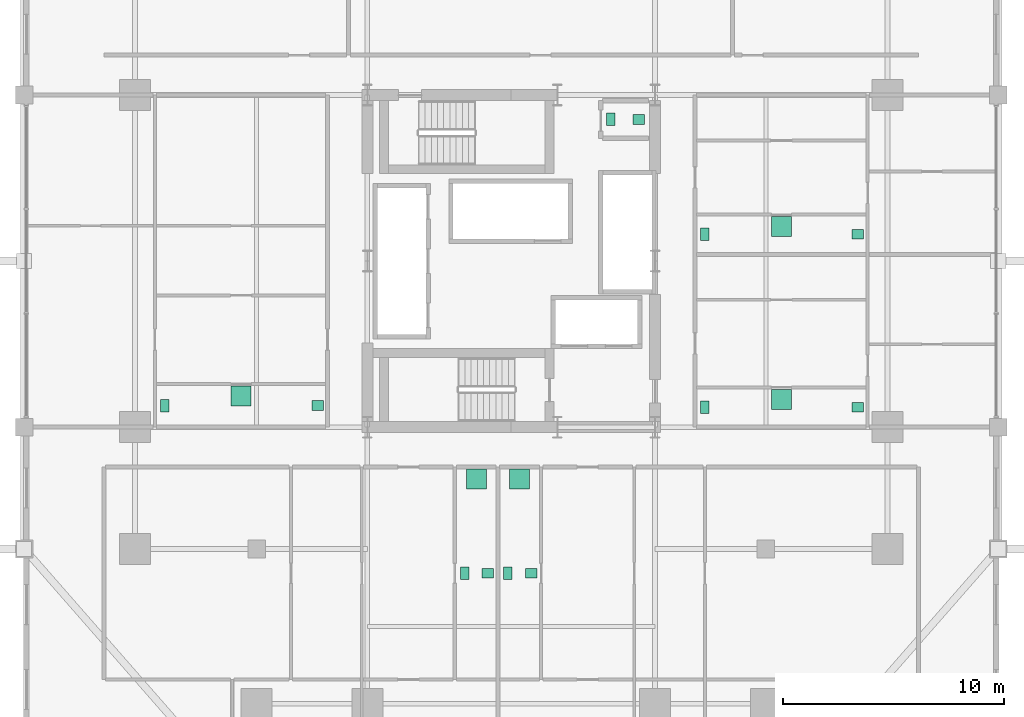
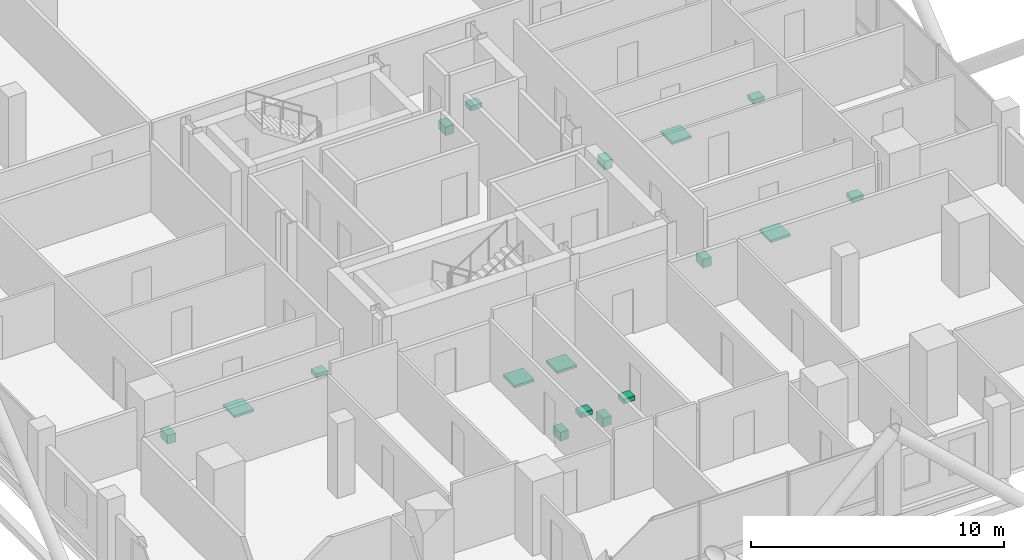
# One storey, part 27 of 27: 17 sanitary terminals.
"""IFC4 building model written with IfcOpenShell, lengths in metres."""

from ifc_helpers import new_model, si_unit, direction, frame, origin, origin_2d, place, context, subcontext, project, spatial, rectangle, extrude, material, type_object, element, save


model = new_model("IFC4")

# Units and contexts
model_context = context("Model", 3, precision=1e-05, world=origin(), true_north=direction((0.0, 1.0)))
body_context = subcontext(model_context, "Body", "Model", "MODEL_VIEW")
ifc_project = project(units=[si_unit("LENGTHUNIT", "METRE"), si_unit("AREAUNIT", "SQUARE_METRE"), si_unit("VOLUMEUNIT", "CUBIC_METRE"), si_unit("PLANEANGLEUNIT", "RADIAN"), si_unit("MASSUNIT", "GRAM", prefix="KILO")], contexts=[model_context])

# Site, building, storey
site_placement = place(None, origin())
site = spatial("IfcSite", under=ifc_project, at=site_placement, CompositionType="ELEMENT")
building_placement = place(site_placement, origin())
building = spatial("IfcBuilding", under=site, at=building_placement, Name="Barlavira Tower and Art Museum", CompositionType="ELEMENT")
storey_placement = place(building_placement, frame((0.0, 0.0, 72.0)))
storey = spatial("IfcBuildingStorey", under=building, at=storey_placement, Name="L17", CompositionType="ELEMENT", Elevation=72.0)

# Sanitary terminals
ifc_material = material(Name="Vitreous glazed ceramic", Category="ceramic")
sanitary_terminal_type_1 = type_object("IfcSanitaryTerminalType", Name="Countertop Ceramic Wash Hand Basin", PredefinedType="WASHHANDBASIN", material=ifc_material)
for number, where, z_axis, x_axis, name in (
    (1, (5.75, 6.39990234375, 0.740234375), (0.0, 0.0, 1.0), (1.0, 0.0, 0.0), "L17-C-AWC4 Wash Basin"),
    (2, (-1.050048828125, -14.10009765625, 0.740234375), (0.0, 0.0, 1.0), (1.0, 0.0, 0.0), "L17-S1-BTH1 Wash Basin"),
    (3, (0.89990234375, -14.10009765625, 0.740234375), (0.0, 0.0, 1.0), (1.0, 0.0, 0.0), "L17-S2-BTH1 Wash Basin"),
    (4, (-8.75, -6.52490234375, 0.740234375), (0.0, 0.0, 1.0), (1.0, 0.0, 0.0), "L17-W1-BTH1 Wash Basin"),
    (5, (15.64990234375, -6.60009765625, 0.740234375), (0.0, 0.0, 1.0), (1.0, 0.0, 0.0), "L17-E1-BTH1 Wash Basin"),
    (6, (15.64990234375, 1.2099609375, 0.740234375), (0.0, 0.0, 1.0), (1.0, 0.0, 0.0), "L17-E2-BTH1 Wash Basin"),
):
    element("IfcSanitaryTerminal", number, at=place(storey_placement, frame(where, z_axis=z_axis, x_axis=x_axis)), inside=storey, type_object=sanitary_terminal_type_1, Name=name, PredefinedType="WASHHANDBASIN", context=body_context, shape_type="SweptSolid", body=[
        extrude(rectangle(XDim=0.52001953125, YDim=0.43994140625, at=origin_2d()), origin(), (0.0, 0.0, 1.0), 0.219970703125),
    ])
sanitary_terminal_type_2 = type_object("IfcSanitaryTerminalType", Name="Walk-In Thermostatic Rain Shower Unit", PredefinedType="SHOWER", material=ifc_material)
for number, where, z_axis, x_axis, name in (
    (7, (-1.574951171875, -9.85009765625, 0.0), (0.0, 0.0, 1.0), (1.0, 0.0, 0.0), "L17-S1-BTH1 Rain Shower"),
    (8, (0.375, -9.85009765625, 0.0), (0.0, 0.0, 1.0), (1.0, 0.0, 0.0), "L17-S2-BTH1 Rain Shower"),
    (9, (-12.199951171875, -6.10009765625, 0.0), (0.0, 0.0, 1.0), (1.0, 0.0, 0.0), "L17-W1-BTH1 Rain Shower"),
    (10, (12.199951171875, -6.25, 0.0), (0.0, 0.0, 1.0), (1.0, 0.0, 0.0), "L17-E1-BTH1 Rain Shower"),
    (11, (12.199951171875, 1.56005859375, 0.0), (0.0, 0.0, 1.0), (1.0, 0.0, 0.0), "L17-E2-BTH1 Rain Shower"),
):
    element("IfcSanitaryTerminal", number, at=place(storey_placement, frame(where, z_axis=z_axis, x_axis=x_axis)), inside=storey, type_object=sanitary_terminal_type_2, Name=name, PredefinedType="SHOWER", context=body_context, shape_type="SweptSolid", body=[
        extrude(rectangle(XDim=0.89990234375, YDim=0.89990234375, at=origin_2d()), origin(), (0.0, 0.0, 1.0), 0.1201171875),
    ])
sanitary_terminal_type_3 = type_object("IfcSanitaryTerminalType", Name="Wall-Hung Dual-Flush Vitreous WC Pan", PredefinedType="TOILETPAN", material=ifc_material)
for number, where, z_axis, x_axis, name in (
    (12, (4.5, 6.39990234375, 0.0), (0.0, 0.0, 1.0), (1.0, 0.0, 0.0), "L17-C-AWC4 WC Pan"),
    (13, (-2.10009765625, -14.10009765625, 0.0), (0.0, 0.0, 1.0), (1.0, 0.0, 0.0), "L17-S1-BTH1 WC Pan"),
    (14, (-0.14990234375, -14.10009765625, 0.0), (0.0, 0.0, 1.0), (1.0, 0.0, 0.0), "L17-S2-BTH1 WC Pan"),
    (15, (-15.64990234375, -6.52490234375, 0.0), (0.0, 0.0, 1.0), (1.0, 0.0, 0.0), "L17-W1-BTH1 WC Pan"),
    (16, (8.75, -6.60009765625, 0.0), (0.0, 0.0, 1.0), (1.0, 0.0, 0.0), "L17-E1-BTH1 WC Pan"),
    (17, (8.75, 1.2099609375, 0.0), (0.0, 0.0, 1.0), (1.0, 0.0, 0.0), "L17-E2-BTH1 WC Pan"),
):
    element("IfcSanitaryTerminal", number, at=place(storey_placement, frame(where, z_axis=z_axis, x_axis=x_axis)), inside=storey, type_object=sanitary_terminal_type_3, Name=name, PredefinedType="TOILETPAN", context=body_context, shape_type="SweptSolid", body=[
        extrude(rectangle(XDim=0.3798828125, YDim=0.56005859375, at=origin_2d()), origin(), (0.0, 0.0, 1.0), 0.419921875),
    ])

save(model, "model.ifc")
